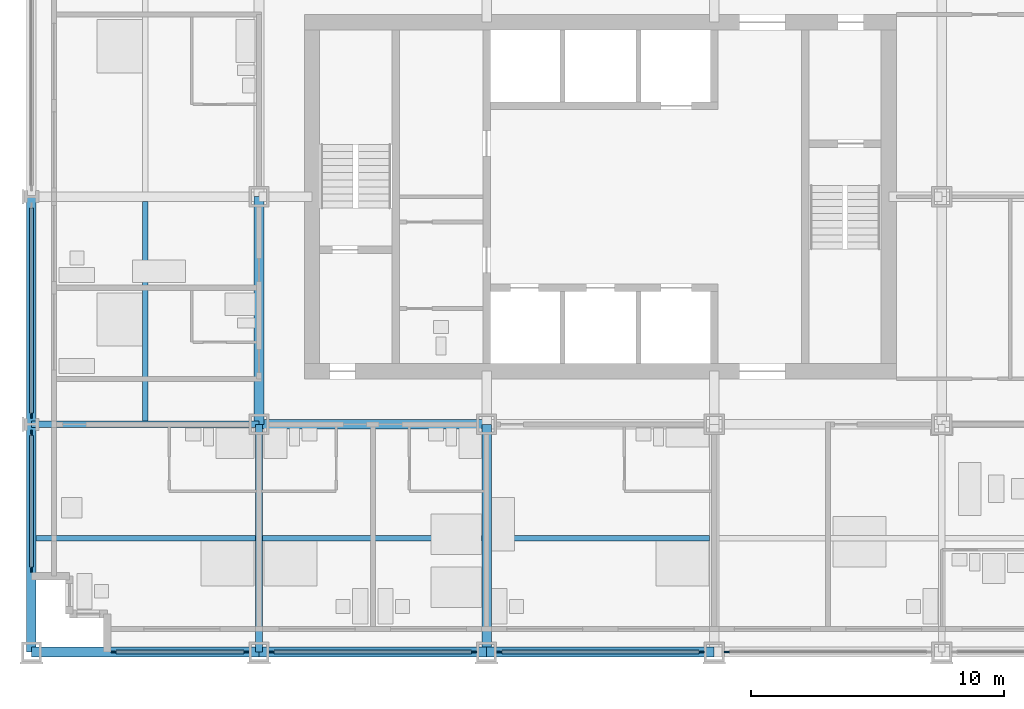
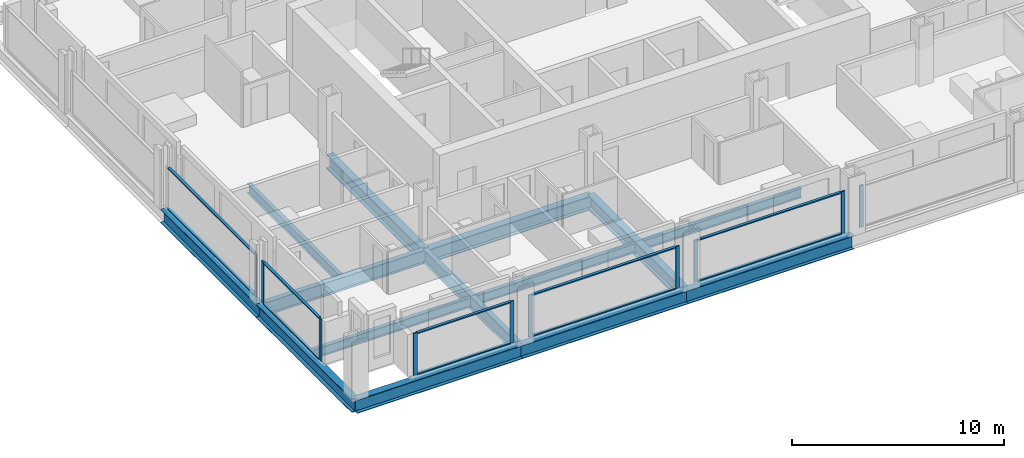
# One storey, part 2 of 18: 20 members, 14 beams, 6 elements without a shape of their own.
"""IFC4 building model written with IfcOpenShell, lengths in metres."""

from ifc_helpers import new_model, si_unit, direction, frame, origin, origin_2d, place, context, subcontext, project, spatial, rectangle, i_section, extrude, material, material_profile, profile_set, type_object, element, aggregate, save


model = new_model("IFC4")

# Units and contexts
model_context = context("Model", 3, precision=1e-05, world=origin(), true_north=direction((0.0, 1.0)))
body_context = subcontext(model_context, "Body", "Model", "MODEL_VIEW")
ifc_project = project(units=[si_unit("LENGTHUNIT", "METRE"), si_unit("AREAUNIT", "SQUARE_METRE"), si_unit("VOLUMEUNIT", "CUBIC_METRE"), si_unit("PLANEANGLEUNIT", "RADIAN"), si_unit("MASSUNIT", "GRAM", prefix="KILO")], contexts=[model_context])

# Site, building, storey
site_placement = place(None, origin())
site = spatial("IfcSite", under=ifc_project, at=site_placement, CompositionType="ELEMENT")
building_placement = place(site_placement, origin())
building = spatial("IfcBuilding", under=site, at=building_placement, Name="Loomwork Tower", CompositionType="ELEMENT")
storey_placement = place(building_placement, frame((0.0, 0.0, 34.800048828125)))
storey = spatial("IfcBuildingStorey", under=building, at=storey_placement, Name="L07", CompositionType="ELEMENT", Elevation=34.800048828125)

# Beams
ifc_material_1 = material(Name="Steel ASTM A992", Category="steel")
ifc_material_profile_1 = material_profile(ifc_material_1, i_section(OverallWidth=0.383544921875, OverallDepth=0.794921875, WebThickness=0.02099609375, FlangeThickness=0.0380859375, at=origin_2d()), Name="W30x235")
ifc_profile_set_1 = profile_set([ifc_material_profile_1], Name="Steel ASTM A992")
beam_type_1 = type_object("IfcBeamType", Name="CORE FLANK GIRDER W30x235", PredefinedType="BEAM", material=ifc_profile_set_1)
for number, where, z_axis, x_axis, name in (
    (1, (9.0, 9.0, -0.59765625), (1.0, 0.0, 0.0), (0.0, 1.0, 0.0), "Core Flank Girder E/3-E/4 L07"),
    (2, (9.0, 9.0, -0.59765625), (0.0, 1.0, 0.0), (-1.0, 0.0, 0.0), "Core Flank Girder E/3-F/3 L07"),
    (3, (18.0, 0.0, -0.59765625), (0.0, 1.0, 0.0), (-1.0, 0.0, 0.0), "Core Flank Girder D/4-E/4 L07"),
):
    element("IfcBeam", number, at=place(storey_placement, frame(where, z_axis=z_axis, x_axis=x_axis)), inside=storey, type_object=beam_type_1, Name=name, PredefinedType="BEAM", context=body_context, shape_type="SweptSolid", body=[
        extrude(i_section(OverallWidth=0.383544921875, OverallDepth=0.794921875, WebThickness=0.02099609375, FlangeThickness=0.0380859375, at=origin_2d()), origin(), (0.0, 0.0, 1.0), 9.0),
    ])
ifc_material_2 = material(Name="Steel ASTM A992", Category="steel")
ifc_material_profile_2 = material_profile(ifc_material_2, i_section(OverallWidth=0.2666015625, OverallDepth=0.761962890625, WebThickness=0.014404296875, FlangeThickness=0.021484375, at=origin_2d()), Name="W30x116")
ifc_profile_set_2 = profile_set([ifc_material_profile_2], Name="Steel ASTM A992")
beam_type_2 = type_object("IfcBeamType", Name="FLOOR GIRDER W30x116", PredefinedType="BEAM", material=ifc_profile_set_2)
for number, where, z_axis, x_axis, name in (
    (4, (0.0, 9.0, -0.5810546875), (1.0, 0.0, 0.0), (0.0, 1.0, 0.0), "Floor Girder E/2-E/3 L07"),
    (5, (9.0, 0.0, -0.5810546875), (0.0, 1.0, 0.0), (-1.0, 0.0, 0.0), "Floor Girder D/3-E/3 L07"),
):
    element("IfcBeam", number, at=place(storey_placement, frame(where, z_axis=z_axis, x_axis=x_axis)), inside=storey, type_object=beam_type_2, Name=name, PredefinedType="BEAM", context=body_context, shape_type="SweptSolid", body=[
        extrude(i_section(OverallWidth=0.2666015625, OverallDepth=0.761962890625, WebThickness=0.014404296875, FlangeThickness=0.021484375, at=origin_2d()), origin(), (0.0, 0.0, 1.0), 9.0),
    ])
ifc_material_3 = material(Name="Steel ASTM A992", Category="steel")
ifc_material_profile_3 = material_profile(ifc_material_3, i_section(OverallWidth=0.2109375, OverallDepth=0.53857421875, WebThickness=0.011474609375, FlangeThickness=0.018798828125, at=origin_2d()), Name="W21x73")
ifc_profile_set_3 = profile_set([ifc_material_profile_3], Name="Steel ASTM A992")
beam_type_3 = type_object("IfcBeamType", Name="FLOOR JOIST W21x73", PredefinedType="JOIST", material=ifc_profile_set_3)
beam_1_placement = place(storey_placement, frame((0.18994140625, 4.5, -0.46923828125), z_axis=(1.0, 0.0, 0.0), x_axis=(0.0, 1.0, 0.0)))
element("IfcBeam", 6, at=beam_1_placement, inside=storey, type_object=beam_type_3, Name="Floor Joist 0.000,4.500-9.000,4.500 L07", PredefinedType="JOIST", context=body_context, shape_type="SweptSolid", body=[
    extrude(i_section(OverallWidth=0.2109375, OverallDepth=0.53857421875, WebThickness=0.011474609375, FlangeThickness=0.018798828125, at=origin_2d()), origin(), (0.0, 0.0, 1.0), 8.677001953125),
])
for number, where, z_axis, x_axis, name in (
    (7, (4.5, 9.133056640625, -0.46923828125), (0.0, 1.0, 0.0), (-1.0, 0.0, 0.0), "Floor Joist 4.500,9.000-4.500,18.000 L07"),
    (8, (9.133056640625, 4.5, -0.46923828125), (1.0, 0.0, 0.0), (0.0, 1.0, 0.0), "Floor Joist 9.000,4.500-18.000,4.500 L07"),
):
    element("IfcBeam", number, at=place(storey_placement, frame(where, z_axis=z_axis, x_axis=x_axis)), inside=storey, type_object=beam_type_3, Name=name, PredefinedType="JOIST", context=body_context, shape_type="SweptSolid", body=[
        extrude(i_section(OverallWidth=0.2109375, OverallDepth=0.53857421875, WebThickness=0.011474609375, FlangeThickness=0.018798828125, at=origin_2d()), origin(), (0.0, 0.0, 1.0), 8.676025390625),
    ])
beam_2_placement = place(storey_placement, frame((18.19091796875, 4.5, -0.46923828125), z_axis=(1.0, 0.0, 0.0), x_axis=(0.0, 1.0, 0.0)))
element("IfcBeam", 9, at=beam_2_placement, inside=storey, type_object=beam_type_3, Name="Floor Joist 18.000,4.500-27.000,4.500 L07", PredefinedType="JOIST", context=body_context, shape_type="SweptSolid", body=[
    extrude(i_section(OverallWidth=0.2109375, OverallDepth=0.53857421875, WebThickness=0.011474609375, FlangeThickness=0.018798828125, at=origin_2d()), origin(), (0.0, 0.0, 1.0), 8.6181640625),
])

# Curtain wall, members
ifc_material_4 = material(Name="Aluminium curtain wall frame", Category="aluminium")
curtain_wall_type = type_object("IfcCurtainWallType", Name="Outer skin glazing hotel", PredefinedType="NOTDEFINED", material=ifc_material_4)
curtain_wall_1_placement = place(storey_placement, origin())
curtain_wall_1 = element("IfcCurtainWall", 10, at=curtain_wall_1_placement, inside=storey, type_object=curtain_wall_type, Name="Outer skin glazing hotel cw/S-0", PredefinedType="NOTDEFINED")
ifc_material_5 = material(Name="Aluminium curtain wall frame", Category="aluminium")
ifc_material_profile_4 = material_profile(ifc_material_5, rectangle(XDim=0.06494140625, YDim=0.199951171875, at=origin_2d()), Name="AL 65x200")
ifc_profile_set_4 = profile_set([ifc_material_profile_4], Name="Aluminium curtain wall frame")
member_type_1 = type_object("IfcMemberType", Name="Outer skin glazing hotel mullion", PredefinedType="MULLION", material=ifc_profile_set_4)
member_1_placement = place(storey_placement, frame((3.25, 0.0, 0.0), z_axis=(0.0, 0.0, 1.0), x_axis=(0.0, 1.0, 0.0)))
member_1 = element("IfcMember", 11, at=member_1_placement, type_object=member_type_1, Name="CW1 mullion 1", PredefinedType="MULLION", context=body_context, shape_type="SweptSolid", body=[
    extrude(rectangle(XDim=0.06494140625, YDim=0.199951171875, at=origin_2d()), origin(), (0.0, 0.0, 1.0), 2.420166015625),
])
member_2_placement = place(storey_placement, frame((8.5, 0.0, 0.0), z_axis=(0.0, 0.0, 1.0), x_axis=(0.0, 1.0, 0.0)))
member_2 = element("IfcMember", 12, at=member_2_placement, type_object=member_type_1, Name="CW1 mullion 2", PredefinedType="MULLION", context=body_context, shape_type="SweptSolid", body=[
    extrude(rectangle(XDim=0.06494140625, YDim=0.199951171875, at=origin_2d()), origin(), (0.0, 0.0, 1.0), 2.420166015625),
])

curtain_wall_2_placement = place(storey_placement, origin())
curtain_wall_2 = element("IfcCurtainWall", 13, at=curtain_wall_2_placement, inside=storey, type_object=curtain_wall_type, Name="Outer skin glazing hotel cw/S-9", PredefinedType="NOTDEFINED")
member_3_placement = place(storey_placement, frame((9.5, 0.0, 0.0), z_axis=(0.0, 0.0, 1.0), x_axis=(0.0, 1.0, 0.0)))
member_3 = element("IfcMember", 14, at=member_3_placement, type_object=member_type_1, Name="CW1 mullion 1", PredefinedType="MULLION", context=body_context, shape_type="SweptSolid", body=[
    extrude(rectangle(XDim=0.06494140625, YDim=0.199951171875, at=origin_2d()), origin(), (0.0, 0.0, 1.0), 2.420166015625),
])
member_4_placement = place(storey_placement, frame((17.5, 0.0, 0.0), z_axis=(0.0, 0.0, 1.0), x_axis=(0.0, 1.0, 0.0)))
member_4 = element("IfcMember", 15, at=member_4_placement, type_object=member_type_1, Name="CW1 mullion 2", PredefinedType="MULLION", context=body_context, shape_type="SweptSolid", body=[
    extrude(rectangle(XDim=0.06494140625, YDim=0.199951171875, at=origin_2d()), origin(), (0.0, 0.0, 1.0), 2.420166015625),
])

curtain_wall_3_placement = place(storey_placement, origin())
curtain_wall_3 = element("IfcCurtainWall", 16, at=curtain_wall_3_placement, inside=storey, type_object=curtain_wall_type, Name="Outer skin glazing hotel cw/S-18", PredefinedType="NOTDEFINED")
member_5_placement = place(storey_placement, frame((18.5, 0.0, 0.0), z_axis=(0.0, 0.0, 1.0), x_axis=(0.0, 1.0, 0.0)))
member_5 = element("IfcMember", 17, at=member_5_placement, type_object=member_type_1, Name="CW1 mullion 1", PredefinedType="MULLION", context=body_context, shape_type="SweptSolid", body=[
    extrude(rectangle(XDim=0.06494140625, YDim=0.199951171875, at=origin_2d()), origin(), (0.0, 0.0, 1.0), 2.420166015625),
])
member_6_placement = place(storey_placement, frame((26.5, 0.0, 0.0), z_axis=(0.0, 0.0, 1.0), x_axis=(0.0, 1.0, 0.0)))
member_6 = element("IfcMember", 18, at=member_6_placement, type_object=member_type_1, Name="CW1 mullion 2", PredefinedType="MULLION", context=body_context, shape_type="SweptSolid", body=[
    extrude(rectangle(XDim=0.06494140625, YDim=0.199951171875, at=origin_2d()), origin(), (0.0, 0.0, 1.0), 2.420166015625),
])

# Curtain wall, member
curtain_wall_4_placement = place(storey_placement, origin())
curtain_wall_4 = element("IfcCurtainWall", 19, at=curtain_wall_4_placement, inside=storey, type_object=curtain_wall_type, Name="Outer skin glazing hotel cw/S-27", PredefinedType="NOTDEFINED")
member_7_placement = place(storey_placement, frame((27.5, 0.0, 0.0), z_axis=(0.0, 0.0, 1.0), x_axis=(0.0, 1.0, 0.0)))
member_7 = element("IfcMember", 20, at=member_7_placement, type_object=member_type_1, Name="CW1 mullion 1", PredefinedType="MULLION", context=body_context, shape_type="SweptSolid", body=[
    extrude(rectangle(XDim=0.06494140625, YDim=0.199951171875, at=origin_2d()), origin(), (0.0, 0.0, 1.0), 2.420166015625),
])
aggregate(curtain_wall_4, [member_7])

# Curtain wall, members
curtain_wall_5_placement = place(storey_placement, origin())
curtain_wall_5 = element("IfcCurtainWall", 21, at=curtain_wall_5_placement, inside=storey, type_object=curtain_wall_type, Name="Outer skin glazing hotel cw/W-0", PredefinedType="NOTDEFINED")
member_8_placement = place(storey_placement, frame((0.0, 8.6611328125, 0.0), z_axis=(0.0, 0.0, 1.0), x_axis=(1.0, 0.0, 0.0)))
member_8 = element("IfcMember", 22, at=member_8_placement, type_object=member_type_1, Name="CW1 mullion 1", PredefinedType="MULLION", context=body_context, shape_type="SweptSolid", body=[
    extrude(rectangle(XDim=0.06494140625, YDim=0.199951171875, at=origin_2d()), origin(), (0.0, 0.0, 1.0), 2.420166015625),
])
member_9_placement = place(storey_placement, frame((0.0, 3.25, 0.0), z_axis=(0.0, 0.0, 1.0), x_axis=(1.0, 0.0, 0.0)))
member_9 = element("IfcMember", 23, at=member_9_placement, type_object=member_type_1, Name="CW1 mullion 2", PredefinedType="MULLION", context=body_context, shape_type="SweptSolid", body=[
    extrude(rectangle(XDim=0.06494140625, YDim=0.199951171875, at=origin_2d()), origin(), (0.0, 0.0, 1.0), 2.420166015625),
])

# Curtain wall, member
curtain_wall_6_placement = place(storey_placement, origin())
curtain_wall_6 = element("IfcCurtainWall", 24, at=curtain_wall_6_placement, inside=storey, type_object=curtain_wall_type, Name="Outer skin glazing hotel cw/W-9", PredefinedType="NOTDEFINED")
member_10_placement = place(storey_placement, frame((0.0, 9.3388671875, 0.0), z_axis=(0.0, 0.0, 1.0), x_axis=(1.0, 0.0, 0.0)))
member_10 = element("IfcMember", 25, at=member_10_placement, type_object=member_type_1, Name="CW1 mullion 2", PredefinedType="MULLION", context=body_context, shape_type="SweptSolid", body=[
    extrude(rectangle(XDim=0.06494140625, YDim=0.199951171875, at=origin_2d()), origin(), (0.0, 0.0, 1.0), 2.420166015625),
])

# Member
ifc_material_6 = material(Name="Aluminium curtain wall frame", Category="aluminium")
ifc_material_profile_5 = material_profile(ifc_material_6, rectangle(XDim=0.14990234375, YDim=0.06494140625, at=origin_2d()), Name="AL 65x150")
ifc_profile_set_5 = profile_set([ifc_material_profile_5], Name="Aluminium curtain wall frame")
member_type_2 = type_object("IfcMemberType", Name="Outer skin glazing hotel transom", PredefinedType="USERDEFINED", material=ifc_profile_set_5)
member_11_placement = place(storey_placement, frame((3.35009765625, 0.0, 0.032470703125), z_axis=(1.0, 0.0, 0.0), x_axis=(0.0, 1.0, 0.0)))
member_11 = element("IfcMember", 26, at=member_11_placement, type_object=member_type_2, Name="CW1 transom 1.1", ObjectType="TRANSOM", PredefinedType="USERDEFINED", context=body_context, shape_type="SweptSolid", body=[
    extrude(rectangle(XDim=0.14990234375, YDim=0.06494140625, at=origin_2d()), origin(), (0.0, 0.0, 1.0), 5.0498046875),
])

member_12_placement = place(storey_placement, frame((3.35009765625, 0.0, 2.3876953125), z_axis=(1.0, 0.0, 0.0), x_axis=(0.0, 1.0, 0.0)))
member_12 = element("IfcMember", 27, at=member_12_placement, type_object=member_type_2, Name="CW1 transom 1.2", ObjectType="TRANSOM", PredefinedType="USERDEFINED", context=body_context, shape_type="SweptSolid", body=[
    extrude(rectangle(XDim=0.14990234375, YDim=0.06494140625, at=origin_2d()), origin(), (0.0, 0.0, 1.0), 5.0498046875),
])

aggregate(curtain_wall_1, [member_1, member_2, member_11, member_12])

member_13_placement = place(storey_placement, frame((9.60009765625, 0.0, 0.032470703125), z_axis=(1.0, 0.0, 0.0), x_axis=(0.0, 1.0, 0.0)))
member_13 = element("IfcMember", 28, at=member_13_placement, type_object=member_type_2, Name="CW1 transom 1.1", ObjectType="TRANSOM", PredefinedType="USERDEFINED", context=body_context, shape_type="SweptSolid", body=[
    extrude(rectangle(XDim=0.14990234375, YDim=0.06494140625, at=origin_2d()), origin(), (0.0, 0.0, 1.0), 7.7998046875),
])

member_14_placement = place(storey_placement, frame((9.60009765625, 0.0, 2.3876953125), z_axis=(1.0, 0.0, 0.0), x_axis=(0.0, 1.0, 0.0)))
member_14 = element("IfcMember", 29, at=member_14_placement, type_object=member_type_2, Name="CW1 transom 1.2", ObjectType="TRANSOM", PredefinedType="USERDEFINED", context=body_context, shape_type="SweptSolid", body=[
    extrude(rectangle(XDim=0.14990234375, YDim=0.06494140625, at=origin_2d()), origin(), (0.0, 0.0, 1.0), 7.7998046875),
])

aggregate(curtain_wall_2, [member_3, member_4, member_13, member_14])

member_15_placement = place(storey_placement, frame((18.60009765625, 0.0, 0.032470703125), z_axis=(1.0, 0.0, 0.0), x_axis=(0.0, 1.0, 0.0)))
member_15 = element("IfcMember", 30, at=member_15_placement, type_object=member_type_2, Name="CW1 transom 1.1", ObjectType="TRANSOM", PredefinedType="USERDEFINED", context=body_context, shape_type="SweptSolid", body=[
    extrude(rectangle(XDim=0.14990234375, YDim=0.06494140625, at=origin_2d()), origin(), (0.0, 0.0, 1.0), 7.7998046875),
])

member_16_placement = place(storey_placement, frame((18.60009765625, 0.0, 2.3876953125), z_axis=(1.0, 0.0, 0.0), x_axis=(0.0, 1.0, 0.0)))
member_16 = element("IfcMember", 31, at=member_16_placement, type_object=member_type_2, Name="CW1 transom 1.2", ObjectType="TRANSOM", PredefinedType="USERDEFINED", context=body_context, shape_type="SweptSolid", body=[
    extrude(rectangle(XDim=0.14990234375, YDim=0.06494140625, at=origin_2d()), origin(), (0.0, 0.0, 1.0), 7.7998046875),
])

aggregate(curtain_wall_3, [member_5, member_6, member_15, member_16])

member_17_placement = place(storey_placement, frame((0.0, 8.561279296875, 0.032470703125), z_axis=(0.0, -1.0, 0.0), x_axis=(1.0, 0.0, 0.0)))
member_17 = element("IfcMember", 32, at=member_17_placement, type_object=member_type_2, Name="CW1 transom 1.1", ObjectType="TRANSOM", PredefinedType="USERDEFINED", context=body_context, shape_type="SweptSolid", body=[
    extrude(rectangle(XDim=0.14990234375, YDim=0.06494140625, at=origin_2d()), origin(), (0.0, 0.0, 1.0), 5.211181640625),
])

member_18_placement = place(storey_placement, frame((0.0, 8.561279296875, 2.3876953125), z_axis=(0.0, -1.0, 0.0), x_axis=(1.0, 0.0, 0.0)))
member_18 = element("IfcMember", 33, at=member_18_placement, type_object=member_type_2, Name="CW1 transom 1.2", ObjectType="TRANSOM", PredefinedType="USERDEFINED", context=body_context, shape_type="SweptSolid", body=[
    extrude(rectangle(XDim=0.14990234375, YDim=0.06494140625, at=origin_2d()), origin(), (0.0, 0.0, 1.0), 5.211181640625),
])

aggregate(curtain_wall_5, [member_8, member_9, member_17, member_18])

member_19_placement = place(storey_placement, frame((0.0, 17.561279296875, 0.032470703125), z_axis=(0.0, -1.0, 0.0), x_axis=(1.0, 0.0, 0.0)))
member_19 = element("IfcMember", 34, at=member_19_placement, type_object=member_type_2, Name="CW1 transom 1.1", ObjectType="TRANSOM", PredefinedType="USERDEFINED", context=body_context, shape_type="SweptSolid", body=[
    extrude(rectangle(XDim=0.14990234375, YDim=0.06494140625, at=origin_2d()), origin(), (0.0, 0.0, 1.0), 8.12255859375),
])

member_20_placement = place(storey_placement, frame((0.0, 17.561279296875, 2.3876953125), z_axis=(0.0, -1.0, 0.0), x_axis=(1.0, 0.0, 0.0)))
member_20 = element("IfcMember", 35, at=member_20_placement, type_object=member_type_2, Name="CW1 transom 1.2", ObjectType="TRANSOM", PredefinedType="USERDEFINED", context=body_context, shape_type="SweptSolid", body=[
    extrude(rectangle(XDim=0.14990234375, YDim=0.06494140625, at=origin_2d()), origin(), (0.0, 0.0, 1.0), 8.12255859375),
])

aggregate(curtain_wall_6, [member_10, member_19, member_20])

# Beams
ifc_material_7 = material(Name="Steel ASTM A992", Category="steel")
ifc_material_profile_6 = material_profile(ifc_material_7, i_section(OverallWidth=0.381103515625, OverallDepth=0.77978515625, WebThickness=0.01806640625, FlangeThickness=0.0302734375, at=origin_2d()), Name="W30x191")
ifc_profile_set_6 = profile_set([ifc_material_profile_6], Name="Steel ASTM A992")
beam_type_4 = type_object("IfcBeamType", Name="SPANDREL GIRDER W30x191", PredefinedType="SPANDREL", material=ifc_profile_set_6)
for number, where, z_axis, x_axis, name in (
    (36, (0.0, 0.0, -0.58984375), (1.0, 0.0, 0.0), (0.0, 1.0, 0.0), "Spandrel Girder D/2-D/3 L07"),
    (37, (9.0, 0.0, -0.58984375), (1.0, 0.0, 0.0), (0.0, 1.0, 0.0), "Spandrel Girder D/3-D/4 L07"),
    (38, (18.0, 0.0, -0.58984375), (1.0, 0.0, 0.0), (0.0, 1.0, 0.0), "Spandrel Girder D/4-D/5 L07"),
    (39, (0.0, 0.0, -0.58984375), (0.0, 1.0, 0.0), (-1.0, 0.0, 0.0), "Spandrel Girder D/2-E/2 L07"),
    (40, (0.0, 9.0, -0.58984375), (0.0, 1.0, 0.0), (-1.0, 0.0, 0.0), "Spandrel Girder E/2-F/2 L07"),
):
    element("IfcBeam", number, at=place(storey_placement, frame(where, z_axis=z_axis, x_axis=x_axis)), inside=storey, type_object=beam_type_4, Name=name, PredefinedType="SPANDREL", context=body_context, shape_type="SweptSolid", body=[
        extrude(i_section(OverallWidth=0.381103515625, OverallDepth=0.77978515625, WebThickness=0.01806640625, FlangeThickness=0.0302734375, at=origin_2d()), origin(), (0.0, 0.0, 1.0), 9.0),
    ])

save(model, "model.ifc")
